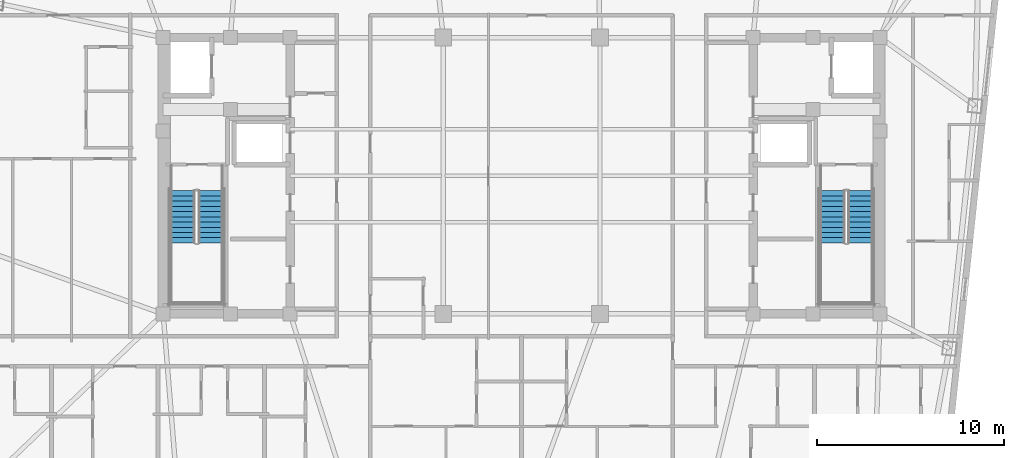
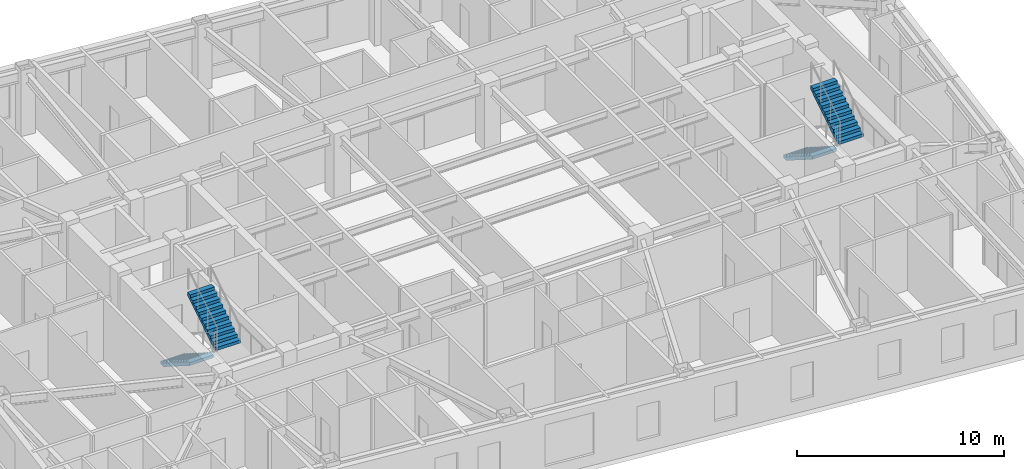
# One storey, part 9 of 11: 4 stair flights, 2 elements without a shape of their own.
"""IFC4 building model written with IfcOpenShell, lengths in metres."""

from ifc_helpers import new_model, si_unit, direction, frame, origin, place, context, subcontext, project, spatial, polyline, outline, extrude, material, type_object, element, aggregate, save


model = new_model("IFC4")

# Units and contexts
model_context = context("Model", 3, precision=1e-05, world=origin(), true_north=direction((0.0, 1.0)))
body_context = subcontext(model_context, "Body", "Model", "MODEL_VIEW")
ifc_project = project(units=[si_unit("LENGTHUNIT", "METRE"), si_unit("AREAUNIT", "SQUARE_METRE"), si_unit("VOLUMEUNIT", "CUBIC_METRE"), si_unit("PLANEANGLEUNIT", "RADIAN"), si_unit("MASSUNIT", "GRAM", prefix="KILO")], contexts=[model_context])

# Site, building, storey
site_placement = place(None, origin())
site = spatial("IfcSite", under=ifc_project, at=site_placement, CompositionType="ELEMENT")
building_placement = place(site_placement, origin())
building = spatial("IfcBuilding", under=site, at=building_placement, Name="Voryun Gate Residences", CompositionType="ELEMENT")
storey_placement = place(building_placement, frame((0.0, 0.0, 295.10009765625)))
storey = spatial("IfcBuildingStorey", under=building, at=storey_placement, Name="L73", CompositionType="ELEMENT", Elevation=295.10009765625)

# Stair, stair flights
ifc_material_1 = material(Name="Concrete C40/50", Category="concrete")
stair_type = type_object("IfcStairType", Name="STR_CORE_DOGLEG_1350", PredefinedType="HALF_TURN_STAIR", material=ifc_material_1)
stair_1_placement = place(storey_placement, origin())
stair_1 = element("IfcStair", 1, at=stair_1_placement, inside=storey, type_object=stair_type, Name="L73 Special Escape Stair ST-W1", PredefinedType="HALF_TURN_STAIR")
ifc_material_2 = material(Name="Concrete C40/50", Category="concrete")
stair_flight_type = type_object("IfcStairFlightType", Name="FLT_CORE_1350", PredefinedType="STRAIGHT", material=ifc_material_2)
stair_flight_1_placement = place(storey_placement, frame((-18.14990234375, -0.800048828125, 0.0), z_axis=(0.0, 0.0, 1.0), x_axis=(0.0, -1.0, 0.0)))
stair_flight_1 = element("IfcStairFlight", 2, at=stair_flight_1_placement, type_object=stair_flight_type, Name="ST-W1 flight 1", NumberOfRisers=11, NumberOfTreads=10, PredefinedType="STRAIGHT", RiserHeight=0.177272727, TreadLength=0.28, context=body_context, shape_type="SweptSolid", body=[
    extrude(outline(polyline([(0.0, 0.0), (0.0, 0.17724609375), (0.280029296875, 0.17724609375), (0.280029296875, 0.3544921875), (0.56005859375, 0.3544921875), (0.56005859375, 0.53173828125), (0.840087890625, 0.53173828125), (0.840087890625, 0.708984375), (1.1201171875, 0.708984375), (1.1201171875, 0.886474609375), (1.39990234375, 0.886474609375), (1.39990234375, 1.063720703125), (1.679931640625, 1.063720703125), (1.679931640625, 1.240966796875), (1.9599609375, 1.240966796875), (1.9599609375, 1.418212890625), (2.239990234375, 1.418212890625), (2.239990234375, 1.595458984375), (2.52001953125, 1.595458984375), (2.52001953125, 1.772705078125), (2.800048828125, 1.772705078125), (2.800048828125, 1.949951171875), (2.800048828125, 1.59521484375), (0.2802734375, 0.0), (0.0, 0.0)])), frame((0.0, 0.675048828125, 0.0), z_axis=(0.0, -1.0, 0.0), x_axis=(1.0, 0.0, 0.0)), (0.0, 0.0, 1.0), 1.35009765625),
])
stair_flight_2_placement = place(storey_placement, frame((-16.64990234375, -3.60009765625, 1.949951171875), z_axis=(0.0, 0.0, 1.0), x_axis=(0.0, 1.0, 0.0)))
stair_flight_2 = element("IfcStairFlight", 3, at=stair_flight_2_placement, type_object=stair_flight_type, Name="ST-W1 flight 2", NumberOfRisers=11, NumberOfTreads=10, PredefinedType="STRAIGHT", RiserHeight=0.177272727, TreadLength=0.28, context=body_context, shape_type="SweptSolid", body=[
    extrude(outline(polyline([(0.0, 0.0), (0.0, 0.17724609375), (0.280029296875, 0.17724609375), (0.280029296875, 0.3544921875), (0.56005859375, 0.3544921875), (0.56005859375, 0.53173828125), (0.840087890625, 0.53173828125), (0.840087890625, 0.708984375), (1.1201171875, 0.708984375), (1.1201171875, 0.886474609375), (1.39990234375, 0.886474609375), (1.39990234375, 1.063720703125), (1.679931640625, 1.063720703125), (1.679931640625, 1.240966796875), (1.9599609375, 1.240966796875), (1.9599609375, 1.418212890625), (2.239990234375, 1.418212890625), (2.239990234375, 1.595458984375), (2.52001953125, 1.595458984375), (2.52001953125, 1.772705078125), (2.800048828125, 1.772705078125), (2.800048828125, 1.949951171875), (2.800048828125, 1.59521484375), (0.2802734375, 0.0), (0.0, 0.0)])), frame((0.0, 0.675048828125, 0.0), z_axis=(0.0, -1.0, 0.0), x_axis=(1.0, 0.0, 0.0)), (0.0, 0.0, 1.0), 1.35009765625),
])
aggregate(stair_1, [stair_flight_1, stair_flight_2])

stair_2_placement = place(storey_placement, origin())
stair_2 = element("IfcStair", 4, at=stair_2_placement, inside=storey, type_object=stair_type, Name="L73 Special Escape Stair ST-E1", PredefinedType="HALF_TURN_STAIR")
stair_flight_3_placement = place(storey_placement, frame((16.64990234375, -0.800048828125, 0.0), z_axis=(0.0, 0.0, 1.0), x_axis=(0.0, -1.0, 0.0)))
stair_flight_3 = element("IfcStairFlight", 5, at=stair_flight_3_placement, type_object=stair_flight_type, Name="ST-E1 flight 1", NumberOfRisers=11, NumberOfTreads=10, PredefinedType="STRAIGHT", RiserHeight=0.177272727, TreadLength=0.28, context=body_context, shape_type="SweptSolid", body=[
    extrude(outline(polyline([(0.0, 0.0), (0.0, 0.17724609375), (0.280029296875, 0.17724609375), (0.280029296875, 0.3544921875), (0.56005859375, 0.3544921875), (0.56005859375, 0.53173828125), (0.840087890625, 0.53173828125), (0.840087890625, 0.708984375), (1.1201171875, 0.708984375), (1.1201171875, 0.886474609375), (1.39990234375, 0.886474609375), (1.39990234375, 1.063720703125), (1.679931640625, 1.063720703125), (1.679931640625, 1.240966796875), (1.9599609375, 1.240966796875), (1.9599609375, 1.418212890625), (2.239990234375, 1.418212890625), (2.239990234375, 1.595458984375), (2.52001953125, 1.595458984375), (2.52001953125, 1.772705078125), (2.800048828125, 1.772705078125), (2.800048828125, 1.949951171875), (2.800048828125, 1.59521484375), (0.2802734375, 0.0), (0.0, 0.0)])), frame((0.0, 0.675048828125, 0.0), z_axis=(0.0, -1.0, 0.0), x_axis=(1.0, 0.0, 0.0)), (0.0, 0.0, 1.0), 1.35009765625),
])
stair_flight_4_placement = place(storey_placement, frame((18.14990234375, -3.60009765625, 1.949951171875), z_axis=(0.0, 0.0, 1.0), x_axis=(0.0, 1.0, 0.0)))
stair_flight_4 = element("IfcStairFlight", 6, at=stair_flight_4_placement, type_object=stair_flight_type, Name="ST-E1 flight 2", NumberOfRisers=11, NumberOfTreads=10, PredefinedType="STRAIGHT", RiserHeight=0.177272727, TreadLength=0.28, context=body_context, shape_type="SweptSolid", body=[
    extrude(outline(polyline([(0.0, 0.0), (0.0, 0.17724609375), (0.280029296875, 0.17724609375), (0.280029296875, 0.3544921875), (0.56005859375, 0.3544921875), (0.56005859375, 0.53173828125), (0.840087890625, 0.53173828125), (0.840087890625, 0.708984375), (1.1201171875, 0.708984375), (1.1201171875, 0.886474609375), (1.39990234375, 0.886474609375), (1.39990234375, 1.063720703125), (1.679931640625, 1.063720703125), (1.679931640625, 1.240966796875), (1.9599609375, 1.240966796875), (1.9599609375, 1.418212890625), (2.239990234375, 1.418212890625), (2.239990234375, 1.595458984375), (2.52001953125, 1.595458984375), (2.52001953125, 1.772705078125), (2.800048828125, 1.772705078125), (2.800048828125, 1.949951171875), (2.800048828125, 1.59521484375), (0.2802734375, 0.0), (0.0, 0.0)])), frame((0.0, 0.675048828125, 0.0), z_axis=(0.0, -1.0, 0.0), x_axis=(1.0, 0.0, 0.0)), (0.0, 0.0, 1.0), 1.35009765625),
])
aggregate(stair_2, [stair_flight_3, stair_flight_4])

save(model, "model.ifc")
